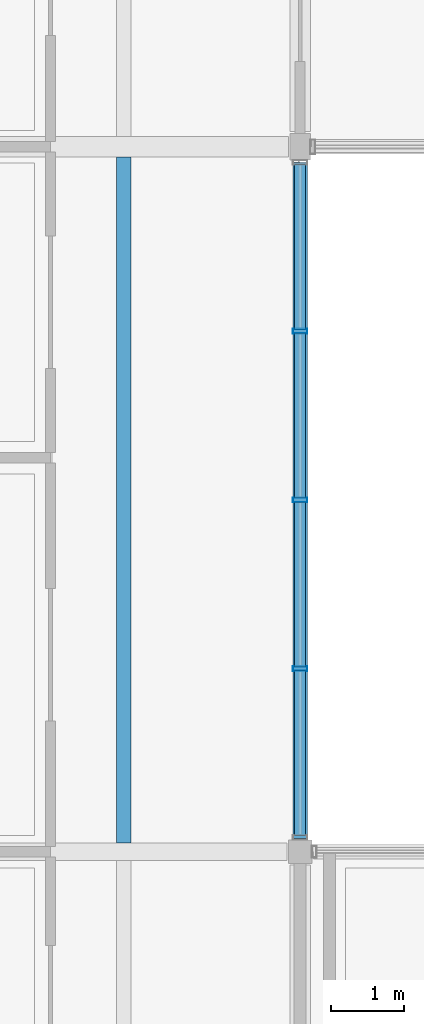
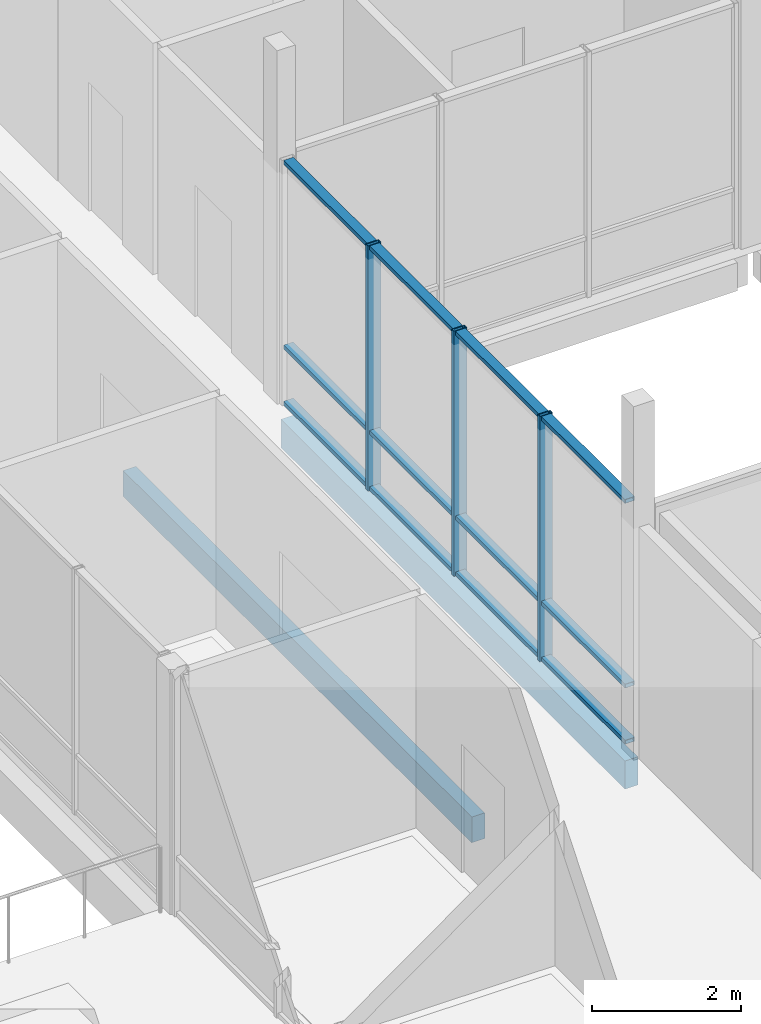
# One storey, part 55 of 115: 15 members, 2 beams, 1 element without a shape of its own.
"""IFC4 building model written with IfcOpenShell, lengths in metres."""

from ifc_helpers import new_model, si_unit, direction, frame, origin, origin_2d, place, context, subcontext, project, spatial, rectangle, hollow_rectangle, extrude, material, material_profile, profile_set, type_object, element, aggregate, save


model = new_model("IFC4")

# Units and contexts
model_context = context("Model", 3, precision=1e-05, world=origin(), true_north=direction((0.0, 1.0)))
body_context = subcontext(model_context, "Body", "Model", "MODEL_VIEW")
ifc_project = project(units=[si_unit("LENGTHUNIT", "METRE"), si_unit("AREAUNIT", "SQUARE_METRE"), si_unit("VOLUMEUNIT", "CUBIC_METRE"), si_unit("PLANEANGLEUNIT", "RADIAN"), si_unit("MASSUNIT", "GRAM", prefix="KILO")], contexts=[model_context])

# Site, building, storey
site_placement = place(None, origin())
site = spatial("IfcSite", under=ifc_project, at=site_placement, CompositionType="ELEMENT")
building_placement = place(site_placement, origin())
building = spatial("IfcBuilding", under=site, at=building_placement, Name="Hawrajan Terrace Health Centre", CompositionType="ELEMENT")
storey_placement = place(building_placement, frame((0.0, 0.0, 9.0)))
storey = spatial("IfcBuildingStorey", under=building, at=storey_placement, Name="L02", CompositionType="ELEMENT", Elevation=9.0)

# Curtain wall, members
ifc_material_1 = material(Name="Anodized bronze aluminium and low-E solar glazing", Category="aluminium")
curtain_wall_type = type_object("IfcCurtainWallType", Name="CW_Court_SeriesB1", PredefinedType="USERDEFINED", material=ifc_material_1)
curtain_wall_placement = place(storey_placement, origin())
curtain_wall = element("IfcCurtainWall", 1, at=curtain_wall_placement, inside=storey, type_object=curtain_wall_type, Name="Curtain wall CW-L02-148", ObjectType="UNITISED CURTAIN WALL", PredefinedType="USERDEFINED")
ifc_material_2 = material(Name="Anodized bronze aluminium 6063-T6", Category="aluminium")
ifc_material_profile_1 = material_profile(ifc_material_2, hollow_rectangle(XDim=0.06494140625, YDim=0.199951171875, WallThickness=0.00439453125, at=origin_2d()), Name="CW MUL 65x200")
ifc_profile_set_1 = profile_set([ifc_material_profile_1], Name="Anodized bronze aluminium 6063-T6")
member_type_1 = type_object("IfcMemberType", Name="CWMullion_65x200", PredefinedType="MULLION", material=ifc_profile_set_1)
member_1_placement = place(storey_placement, frame((151.0, 29.69140625, -0.0048828125), z_axis=(0.0, 0.0, 1.0), x_axis=(0.0, 1.0, 0.0)))
member_1 = element("IfcMember", 2, at=member_1_placement, type_object=member_type_1, Name="Mullion CW-L02-148-M2", PredefinedType="MULLION", context=body_context, shape_type="SweptSolid", body=[
    extrude(hollow_rectangle(XDim=0.06494140625, YDim=0.199951171875, WallThickness=0.00439453125, at=origin_2d()), origin(), (0.0, 0.0, 1.0), 4.009765625),
])
member_2_placement = place(storey_placement, frame((151.0, 31.989990234375, -0.0048828125), z_axis=(0.0, 0.0, 1.0), x_axis=(0.0, 1.0, 0.0)))
member_2 = element("IfcMember", 3, at=member_2_placement, type_object=member_type_1, Name="Mullion CW-L02-148-M3", PredefinedType="MULLION", context=body_context, shape_type="SweptSolid", body=[
    extrude(hollow_rectangle(XDim=0.06494140625, YDim=0.199951171875, WallThickness=0.00439453125, at=origin_2d()), origin(), (0.0, 0.0, 1.0), 4.009765625),
])
member_3_placement = place(storey_placement, frame((151.0, 34.288818359375, -0.0048828125), z_axis=(0.0, 0.0, 1.0), x_axis=(0.0, 1.0, 0.0)))
member_3 = element("IfcMember", 4, at=member_3_placement, type_object=member_type_1, Name="Mullion CW-L02-148-M4", PredefinedType="MULLION", context=body_context, shape_type="SweptSolid", body=[
    extrude(hollow_rectangle(XDim=0.06494140625, YDim=0.199951171875, WallThickness=0.00439453125, at=origin_2d()), origin(), (0.0, 0.0, 1.0), 4.009765625),
])
ifc_material_profile_2 = material_profile(ifc_material_2, hollow_rectangle(XDim=0.06494140625, YDim=0.14990234375, WallThickness=0.00390625, at=origin_2d()), Name="CW TRN 65x150")
ifc_profile_set_2 = profile_set([ifc_material_profile_2], Name="Anodized bronze aluminium 6063-T6")
member_type_2 = type_object("IfcMemberType", Name="CWTransom_65x150", PredefinedType="USERDEFINED", material=ifc_profile_set_2)
member_4_placement = place(storey_placement, frame((151.0, 27.4189453125, 0.032470703125), z_axis=(0.0, 1.0, 0.0), x_axis=(0.0, 0.0, 1.0)))
member_4 = element("IfcMember", 5, at=member_4_placement, type_object=member_type_2, Name="Transom CW-L02-148-T1-1", ObjectType="TRANSOM", PredefinedType="USERDEFINED", context=body_context, shape_type="SweptSolid", body=[
    extrude(hollow_rectangle(XDim=0.06494140625, YDim=0.14990234375, WallThickness=0.00390625, at=origin_2d()), origin(), (0.0, 0.0, 1.0), 2.245849609375),
])
member_5_placement = place(storey_placement, frame((151.0, 27.4189453125, 0.949951171875), z_axis=(0.0, 1.0, 0.0), x_axis=(0.0, 0.0, 1.0)))
member_5 = element("IfcMember", 6, at=member_5_placement, type_object=member_type_2, Name="Transom CW-L02-148-T1-2", ObjectType="TRANSOM", PredefinedType="USERDEFINED", context=body_context, shape_type="SweptSolid", body=[
    extrude(hollow_rectangle(XDim=0.06494140625, YDim=0.14990234375, WallThickness=0.00390625, at=origin_2d()), origin(), (0.0, 0.0, 1.0), 2.245849609375),
])
member_6_placement = place(storey_placement, frame((151.0, 27.4189453125, 3.967529296875), z_axis=(0.0, 1.0, 0.0), x_axis=(0.0, 0.0, 1.0)))
member_6 = element("IfcMember", 7, at=member_6_placement, type_object=member_type_2, Name="Transom CW-L02-148-T1-3", ObjectType="TRANSOM", PredefinedType="USERDEFINED", context=body_context, shape_type="SweptSolid", body=[
    extrude(hollow_rectangle(XDim=0.06494140625, YDim=0.14990234375, WallThickness=0.00390625, at=origin_2d()), origin(), (0.0, 0.0, 1.0), 2.245849609375),
])
member_7_placement = place(storey_placement, frame((151.0, 29.7177734375, 0.032470703125), z_axis=(0.0, 1.0, 0.0), x_axis=(0.0, 0.0, 1.0)))
member_7 = element("IfcMember", 8, at=member_7_placement, type_object=member_type_2, Name="Transom CW-L02-148-T2-1", ObjectType="TRANSOM", PredefinedType="USERDEFINED", context=body_context, shape_type="SweptSolid", body=[
    extrude(hollow_rectangle(XDim=0.06494140625, YDim=0.14990234375, WallThickness=0.00390625, at=origin_2d()), origin(), (0.0, 0.0, 1.0), 2.24560546875),
])
member_8_placement = place(storey_placement, frame((151.0, 29.7177734375, 0.949951171875), z_axis=(0.0, 1.0, 0.0), x_axis=(0.0, 0.0, 1.0)))
member_8 = element("IfcMember", 9, at=member_8_placement, type_object=member_type_2, Name="Transom CW-L02-148-T2-2", ObjectType="TRANSOM", PredefinedType="USERDEFINED", context=body_context, shape_type="SweptSolid", body=[
    extrude(hollow_rectangle(XDim=0.06494140625, YDim=0.14990234375, WallThickness=0.00390625, at=origin_2d()), origin(), (0.0, 0.0, 1.0), 2.24560546875),
])
member_9_placement = place(storey_placement, frame((151.0, 29.7177734375, 3.967529296875), z_axis=(0.0, 1.0, 0.0), x_axis=(0.0, 0.0, 1.0)))
member_9 = element("IfcMember", 10, at=member_9_placement, type_object=member_type_2, Name="Transom CW-L02-148-T2-3", ObjectType="TRANSOM", PredefinedType="USERDEFINED", context=body_context, shape_type="SweptSolid", body=[
    extrude(hollow_rectangle(XDim=0.06494140625, YDim=0.14990234375, WallThickness=0.00390625, at=origin_2d()), origin(), (0.0, 0.0, 1.0), 2.24560546875),
])
member_10_placement = place(storey_placement, frame((151.0, 32.0166015625, 0.032470703125), z_axis=(0.0, 1.0, 0.0), x_axis=(0.0, 0.0, 1.0)))
member_10 = element("IfcMember", 11, at=member_10_placement, type_object=member_type_2, Name="Transom CW-L02-148-T3-1", ObjectType="TRANSOM", PredefinedType="USERDEFINED", context=body_context, shape_type="SweptSolid", body=[
    extrude(hollow_rectangle(XDim=0.06494140625, YDim=0.14990234375, WallThickness=0.00390625, at=origin_2d()), origin(), (0.0, 0.0, 1.0), 2.24560546875),
])
member_11_placement = place(storey_placement, frame((151.0, 32.0166015625, 0.949951171875), z_axis=(0.0, 1.0, 0.0), x_axis=(0.0, 0.0, 1.0)))
member_11 = element("IfcMember", 12, at=member_11_placement, type_object=member_type_2, Name="Transom CW-L02-148-T3-2", ObjectType="TRANSOM", PredefinedType="USERDEFINED", context=body_context, shape_type="SweptSolid", body=[
    extrude(hollow_rectangle(XDim=0.06494140625, YDim=0.14990234375, WallThickness=0.00390625, at=origin_2d()), origin(), (0.0, 0.0, 1.0), 2.24560546875),
])
member_12_placement = place(storey_placement, frame((151.0, 32.0166015625, 3.967529296875), z_axis=(0.0, 1.0, 0.0), x_axis=(0.0, 0.0, 1.0)))
member_12 = element("IfcMember", 13, at=member_12_placement, type_object=member_type_2, Name="Transom CW-L02-148-T3-3", ObjectType="TRANSOM", PredefinedType="USERDEFINED", context=body_context, shape_type="SweptSolid", body=[
    extrude(hollow_rectangle(XDim=0.06494140625, YDim=0.14990234375, WallThickness=0.00390625, at=origin_2d()), origin(), (0.0, 0.0, 1.0), 2.24560546875),
])
member_13_placement = place(storey_placement, frame((151.0, 34.315185546875, 0.032470703125), z_axis=(0.0, 1.0, 0.0), x_axis=(0.0, 0.0, 1.0)))
member_13 = element("IfcMember", 14, at=member_13_placement, type_object=member_type_2, Name="Transom CW-L02-148-T4-1", ObjectType="TRANSOM", PredefinedType="USERDEFINED", context=body_context, shape_type="SweptSolid", body=[
    extrude(hollow_rectangle(XDim=0.06494140625, YDim=0.14990234375, WallThickness=0.00390625, at=origin_2d()), origin(), (0.0, 0.0, 1.0), 2.245849609375),
])
member_14_placement = place(storey_placement, frame((151.0, 34.315185546875, 0.949951171875), z_axis=(0.0, 1.0, 0.0), x_axis=(0.0, 0.0, 1.0)))
member_14 = element("IfcMember", 15, at=member_14_placement, type_object=member_type_2, Name="Transom CW-L02-148-T4-2", ObjectType="TRANSOM", PredefinedType="USERDEFINED", context=body_context, shape_type="SweptSolid", body=[
    extrude(hollow_rectangle(XDim=0.06494140625, YDim=0.14990234375, WallThickness=0.00390625, at=origin_2d()), origin(), (0.0, 0.0, 1.0), 2.245849609375),
])
member_15_placement = place(storey_placement, frame((151.0, 34.315185546875, 3.967529296875), z_axis=(0.0, 1.0, 0.0), x_axis=(0.0, 0.0, 1.0)))
member_15 = element("IfcMember", 16, at=member_15_placement, type_object=member_type_2, Name="Transom CW-L02-148-T4-3", ObjectType="TRANSOM", PredefinedType="USERDEFINED", context=body_context, shape_type="SweptSolid", body=[
    extrude(hollow_rectangle(XDim=0.06494140625, YDim=0.14990234375, WallThickness=0.00390625, at=origin_2d()), origin(), (0.0, 0.0, 1.0), 2.245849609375),
])
aggregate(curtain_wall, [member_1, member_2, member_3, member_4, member_5, member_6, member_7, member_8, member_9, member_10, member_11, member_12, member_13, member_14, member_15])

# Beams
ifc_material_3 = material(Name="Glulam GL28h", Category="wood")
ifc_material_profile_3 = material_profile(ifc_material_3, rectangle(XDim=0.199951171875, YDim=0.419921875, at=origin_2d()), Name="GL JST 200x420")
ifc_profile_set_3 = profile_set([ifc_material_profile_3], Name="Glulam GL28h")
beam_type_1 = type_object("IfcBeamType", Name="GlulamJoist_200x420", PredefinedType="JOIST", material=ifc_profile_set_3)
beam_1_placement = place(storey_placement, frame((148.60009765625, 27.320068359375, -0.489990234375), z_axis=(0.0, 1.0, 0.0), x_axis=(-1.0, 0.0, 0.0)))
element("IfcBeam", 17, at=beam_1_placement, inside=storey, type_object=beam_type_1, Name="Secondary joist JST-L02-E-19-4-2", PredefinedType="JOIST", context=body_context, shape_type="SweptSolid", body=[
    extrude(rectangle(XDim=0.199951171875, YDim=0.419921875, at=origin_2d()), origin(), (0.0, 0.0, 1.0), 9.33984375),
])
ifc_material_4 = material(Name="Glulam GL32h", Category="wood")
ifc_material_profile_4 = material_profile(ifc_material_4, rectangle(XDim=0.199951171875, YDim=0.4599609375, at=origin_2d()), Name="GL SP 200x460")
ifc_profile_set_4 = profile_set([ifc_material_profile_4], Name="Glulam GL32h")
beam_type_2 = type_object("IfcBeamType", Name="GlulamSpandrel_200x460", PredefinedType="SPANDREL", material=ifc_profile_set_4)
beam_2_placement = place(storey_placement, frame((151.0, 27.3798828125, -0.469970703125), z_axis=(0.0, 1.0, 0.0), x_axis=(-1.0, 0.0, 0.0)))
element("IfcBeam", 18, at=beam_2_placement, inside=storey, type_object=beam_type_2, Name="Beam BM-Y-L02-E-X20-4", PredefinedType="SPANDREL", context=body_context, shape_type="SweptSolid", body=[
    extrude(rectangle(XDim=0.199951171875, YDim=0.4599609375, at=origin_2d()), origin(), (0.0, 0.0, 1.0), 9.210205078125),
])

save(model, "model.ifc")
